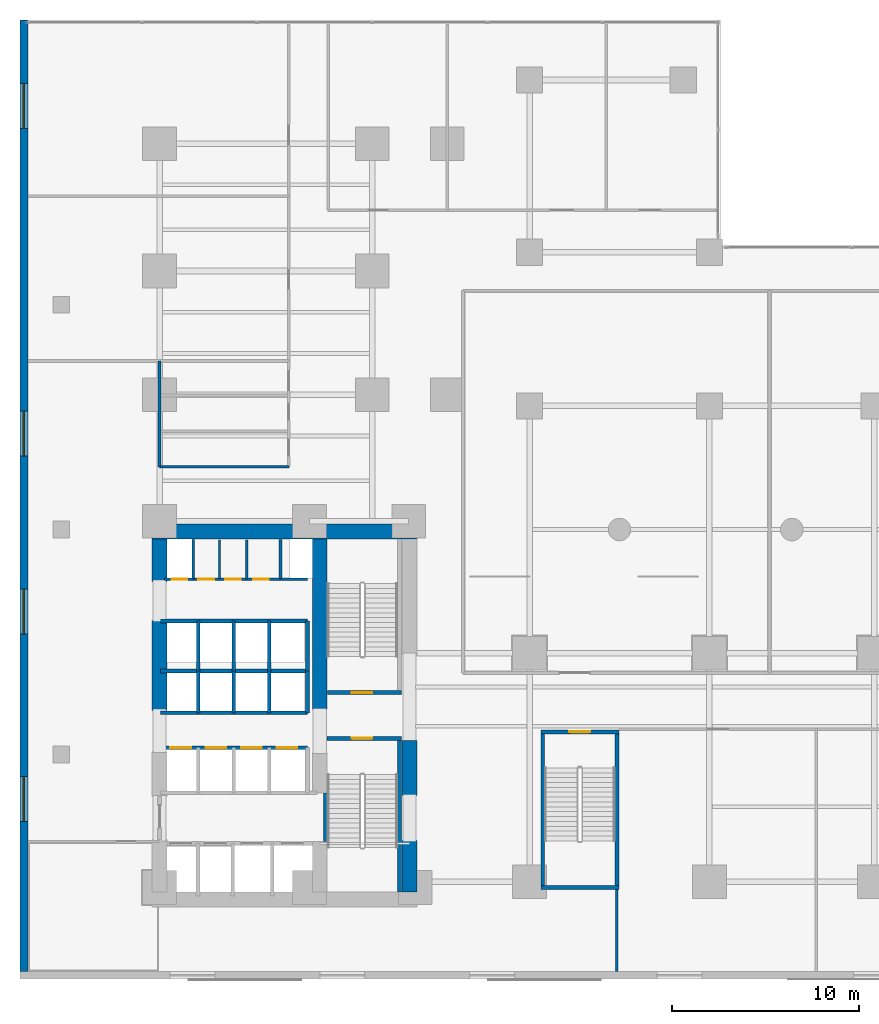
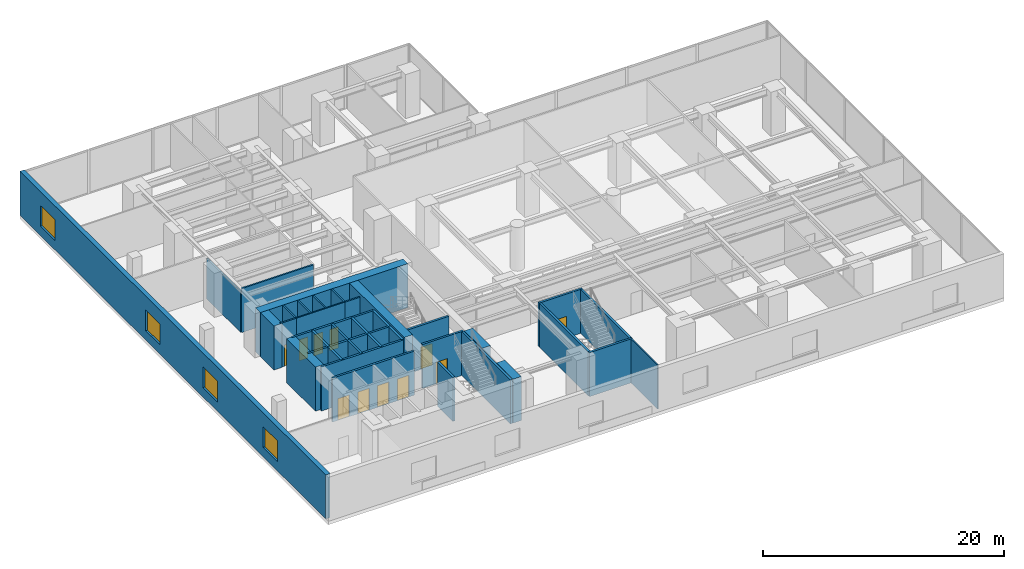
# One storey, part 12 of 16: 37 walls, 11 doors, 4 windows, 15 openings.
"""IFC4 building model written with IfcOpenShell, lengths in metres."""

from ifc_helpers import new_model, si_unit, direction, frame, frame_2d, origin, place, context, subcontext, project, spatial, rectangle, extrude, material, layer, layer_set, type_object, element, fill, save


model = new_model("IFC4")

# Units and contexts
model_context = context("Model", 3, precision=1e-05, world=origin(), true_north=direction((0.0, 1.0)))
body_context = subcontext(model_context, "Body", "Model", "MODEL_VIEW")
ifc_project = project(units=[si_unit("LENGTHUNIT", "METRE"), si_unit("AREAUNIT", "SQUARE_METRE"), si_unit("VOLUMEUNIT", "CUBIC_METRE"), si_unit("PLANEANGLEUNIT", "RADIAN"), si_unit("MASSUNIT", "GRAM", prefix="KILO")], contexts=[model_context])

# Site, building, storey
site_placement = place(None, origin())
site = spatial("IfcSite", under=ifc_project, at=site_placement, CompositionType="ELEMENT")
building_placement = place(site_placement, origin())
building = spatial("IfcBuilding", under=site, at=building_placement, Name="Kolvaren Waterfront Exchange", CompositionType="ELEMENT")
storey_placement = place(building_placement, frame((0.0, 0.0, 15.199951171875)))
storey = spatial("IfcBuildingStorey", under=building, at=storey_placement, Name="L04", CompositionType="ELEMENT", Elevation=15.199951171875)

# Wall, openings, windows
ifc_material_1 = material(Name="Precast concrete C40/50", Category="concrete")
ifc_layer_1 = layer(ifc_material_1, 0.419921875, Name="Precast concrete C40/50")
ifc_layer_set_1 = layer_set([ifc_layer_1], Name="Precast concrete C40/50")
wall_type_1 = type_object("IfcWallType", Name="ARC-EXT-GRANITE-420", PredefinedType="SOLIDWALL", material=ifc_layer_set_1)
wall_1_placement = place(storey_placement, frame((0.2099609375, 0.419921875, 0.0), z_axis=(0.0, 0.0, 1.0), x_axis=(0.0, 1.0, 0.0)))
wall_1 = element("IfcWall", 1, at=wall_1_placement, inside=storey, type_object=wall_type_1, Name="L04 west granite precast facade wall", PredefinedType="SOLIDWALL", context=body_context, shape_type="SweptSolid", body=[
    extrude(rectangle(XDim=50.780029296875, YDim=0.419921875, at=frame_2d((25.39013671875, 0.0))), origin(), (0.0, 0.0, 1.0), 4.4599609375),
])
opening_1_placement = place(wall_1_placement, frame((8.0, 0.0, 0.949951171875)))
opening_1 = element("IfcOpeningElement", 2, at=opening_1_placement, cuts=wall_1, Name="Opening W04", PredefinedType="OPENING", context=body_context, shape_type="SweptSolid", body=[
    extrude(rectangle(XDim=2.39990234375, YDim=2.10009765625, at=frame_2d((1.199951171875, 1.050048828125))), frame((0.0, 0.219970703125, 0.0), z_axis=(0.0, -1.0, 0.0), x_axis=(1.0, 0.0, 0.0)), (0.0, 0.0, 1.0), 0.43994140625),
])
opening_2_placement = place(wall_1_placement, frame((18.0, 0.0, 0.949951171875)))
opening_2 = element("IfcOpeningElement", 3, at=opening_2_placement, cuts=wall_1, Name="Opening W04", PredefinedType="OPENING", context=body_context, shape_type="SweptSolid", body=[
    extrude(rectangle(XDim=2.39990234375, YDim=2.10009765625, at=frame_2d((1.199951171875, 1.050048828125))), frame((0.0, 0.219970703125, 0.0), z_axis=(0.0, -1.0, 0.0), x_axis=(1.0, 0.0, 0.0)), (0.0, 0.0, 1.0), 0.43994140625),
])
opening_3_placement = place(wall_1_placement, frame((27.5, 0.0, 0.949951171875)))
opening_3 = element("IfcOpeningElement", 4, at=opening_3_placement, cuts=wall_1, Name="Opening W04", PredefinedType="OPENING", context=body_context, shape_type="SweptSolid", body=[
    extrude(rectangle(XDim=2.39990234375, YDim=2.10009765625, at=frame_2d((1.199951171875, 1.050048828125))), frame((0.0, 0.219970703125, 0.0), z_axis=(0.0, -1.0, 0.0), x_axis=(1.0, 0.0, 0.0)), (0.0, 0.0, 1.0), 0.43994140625),
])
opening_4_placement = place(wall_1_placement, frame((45.0, 0.0, 0.949951171875)))
opening_4 = element("IfcOpeningElement", 5, at=opening_4_placement, cuts=wall_1, Name="Opening W04", PredefinedType="OPENING", context=body_context, shape_type="SweptSolid", body=[
    extrude(rectangle(XDim=2.39990234375, YDim=2.10009765625, at=frame_2d((1.199951171875, 1.050048828125))), frame((0.0, 0.219970703125, 0.0), z_axis=(0.0, -1.0, 0.0), x_axis=(1.0, 0.0, 0.0)), (0.0, 0.0, 1.0), 0.43994140625),
])
ifc_material_2 = material(Name="Acoustic laminated vision glass", Category="glass")
window_type = type_object("IfcWindowType", Name="ARC-WIN-2400x2100", PartitioningType="SINGLE_PANEL", PredefinedType="WINDOW", material=ifc_material_2)
window_1_placement = place(opening_1_placement, origin())
window_1 = element("IfcWindow", 6, at=window_1_placement, inside=storey, type_object=window_type, Name="L04 west modular window 1", OverallHeight=2.10009765625, OverallWidth=2.39990234375, PartitioningType="SINGLE_PANEL", PredefinedType="WINDOW", context=body_context, shape_type="SweptSolid", body=[
    extrude(rectangle(XDim=2.39990234375, YDim=2.10009765625, at=frame_2d((1.199951171875, 1.050048828125))), frame((0.0, 0.030029296875, 0.0), z_axis=(0.0, -1.0, 0.0), x_axis=(1.0, 0.0, 0.0)), (0.0, 0.0, 1.0), 0.06005859375),
])
fill(opening_1, window_1)
window_2_placement = place(opening_2_placement, origin())
window_2 = element("IfcWindow", 7, at=window_2_placement, inside=storey, type_object=window_type, Name="L04 west modular window 2", OverallHeight=2.10009765625, OverallWidth=2.39990234375, PartitioningType="SINGLE_PANEL", PredefinedType="WINDOW", context=body_context, shape_type="SweptSolid", body=[
    extrude(rectangle(XDim=2.39990234375, YDim=2.10009765625, at=frame_2d((1.199951171875, 1.050048828125))), frame((0.0, 0.030029296875, 0.0), z_axis=(0.0, -1.0, 0.0), x_axis=(1.0, 0.0, 0.0)), (0.0, 0.0, 1.0), 0.06005859375),
])
fill(opening_2, window_2)
window_3_placement = place(opening_3_placement, origin())
window_3 = element("IfcWindow", 8, at=window_3_placement, inside=storey, type_object=window_type, Name="L04 west modular window 3", OverallHeight=2.10009765625, OverallWidth=2.39990234375, PartitioningType="SINGLE_PANEL", PredefinedType="WINDOW", context=body_context, shape_type="SweptSolid", body=[
    extrude(rectangle(XDim=2.39990234375, YDim=2.10009765625, at=frame_2d((1.199951171875, 1.050048828125))), frame((0.0, 0.030029296875, 0.0), z_axis=(0.0, -1.0, 0.0), x_axis=(1.0, 0.0, 0.0)), (0.0, 0.0, 1.0), 0.06005859375),
])
fill(opening_3, window_3)
window_4_placement = place(opening_4_placement, origin())
window_4 = element("IfcWindow", 9, at=window_4_placement, inside=storey, type_object=window_type, Name="L04 west modular window 4", OverallHeight=2.10009765625, OverallWidth=2.39990234375, PartitioningType="SINGLE_PANEL", PredefinedType="WINDOW", context=body_context, shape_type="SweptSolid", body=[
    extrude(rectangle(XDim=2.39990234375, YDim=2.10009765625, at=frame_2d((1.199951171875, 1.050048828125))), frame((0.0, 0.030029296875, 0.0), z_axis=(0.0, -1.0, 0.0), x_axis=(1.0, 0.0, 0.0)), (0.0, 0.0, 1.0), 0.06005859375),
])
fill(opening_4, window_4)

# Wall, opening, door
ifc_layer_2 = layer(ifc_material_1, 0.199951171875, Name="Precast concrete C40/50")
ifc_layer_set_2 = layer_set([ifc_layer_2], Name="Precast concrete C40/50")
wall_type_2 = type_object("IfcWallType", Name="ARC-FIRE-200", PredefinedType="PARTITIONING", material=ifc_layer_set_2)
wall_2_placement = place(storey_placement, frame((16.39990234375, 12.85009765625, 0.0), z_axis=(0.0, 0.0, 1.0), x_axis=(1.0, 0.0, 0.0)))
wall_2 = element("IfcWall", 10, at=wall_2_placement, inside=storey, type_object=wall_type_2, Name="L04 interior wall PW-L04-ST1-THROAT-S", PredefinedType="PARTITIONING", context=body_context, shape_type="SweptSolid", body=[
    extrude(rectangle(XDim=3.960205078125, YDim=0.199951171875, at=frame_2d((1.97998046875, 0.0))), origin(), (0.0, 0.0, 1.0), 4.4599609375),
])
opening_5_placement = place(wall_2_placement, frame((1.3037109375, 0.0, 0.0)))
opening_5 = element("IfcOpeningElement", 11, at=opening_5_placement, cuts=wall_2, Name="Opening FD2", PredefinedType="OPENING", context=body_context, shape_type="SweptSolid", body=[
    extrude(rectangle(XDim=1.10009765625, YDim=2.199951171875, at=frame_2d((0.550048828125, 1.10009765625))), frame((0.0, 0.10986328125, 0.0), z_axis=(0.0, -1.0, 0.0), x_axis=(1.0, 0.0, 0.0)), (0.0, 0.0, 1.0), 0.219970703125),
])
ifc_material_3 = material(Name="Pressed steel smoke-seal fire door", Category="steel")
door_type_1 = type_object("IfcDoorType", Name="ARC-FD-1100", OperationType="NOTDEFINED", PredefinedType="DOOR", material=ifc_material_3)
door_1_placement = place(opening_5_placement, frame((1.10009765625, 0.0, 0.0), z_axis=(0.0, 0.0, 1.0), x_axis=(-1.0, 0.0, 0.0)))
door_1 = element("IfcDoor", 12, at=door_1_placement, inside=storey, type_object=door_type_1, Name="L04 door DR-L04-ST1-IN (FD2)", OperationType="SINGLE_SWING_RIGHT", OverallHeight=2.199951171875, OverallWidth=1.10009765625, PredefinedType="DOOR", context=body_context, shape_type="SweptSolid", body=[
    extrude(rectangle(XDim=1.10009765625, YDim=2.199951171875, at=frame_2d((0.550048828125, 1.10009765625))), frame((0.0, 0.02490234375, 0.0), z_axis=(0.0, -1.0, 0.0), x_axis=(1.0, 0.0, 0.0)), (0.0, 0.0, 1.0), 0.050048828125),
])
fill(opening_5, door_1)

wall_3_placement = place(storey_placement, frame((16.409912109375, 15.300048828125, 0.0), z_axis=(0.0, 0.0, 1.0), x_axis=(1.0, 0.0, 0.0)))
wall_3 = element("IfcWall", 13, at=wall_3_placement, inside=storey, type_object=wall_type_2, Name="L04 interior wall PW-L04-ST2-THROAT-N", PredefinedType="PARTITIONING", context=body_context, shape_type="SweptSolid", body=[
    extrude(rectangle(XDim=3.9501953125, YDim=0.199951171875, at=frame_2d((1.97509765625, 0.0))), origin(), (0.0, 0.0, 1.0), 4.4599609375),
])
opening_6_placement = place(wall_3_placement, frame((1.293701171875, 0.0, 0.0)))
opening_6 = element("IfcOpeningElement", 14, at=opening_6_placement, cuts=wall_3, Name="Opening FD2", PredefinedType="OPENING", context=body_context, shape_type="SweptSolid", body=[
    extrude(rectangle(XDim=1.10009765625, YDim=2.199951171875, at=frame_2d((0.550048828125, 1.10009765625))), frame((0.0, 0.10986328125, 0.0), z_axis=(0.0, -1.0, 0.0), x_axis=(1.0, 0.0, 0.0)), (0.0, 0.0, 1.0), 0.219970703125),
])
door_2_placement = place(opening_6_placement, origin())
door_2 = element("IfcDoor", 15, at=door_2_placement, inside=storey, type_object=door_type_1, Name="L04 door DR-L04-ST2-IN (FD2)", OperationType="SINGLE_SWING_LEFT", OverallHeight=2.199951171875, OverallWidth=1.10009765625, PredefinedType="DOOR", context=body_context, shape_type="SweptSolid", body=[
    extrude(rectangle(XDim=1.10009765625, YDim=2.199951171875, at=frame_2d((0.550048828125, 1.10009765625))), frame((0.0, 0.02490234375, 0.0), z_axis=(0.0, -1.0, 0.0), x_axis=(1.0, 0.0, 0.0)), (0.0, 0.0, 1.0), 0.050048828125),
])
fill(opening_6, door_2)

# Wall, openings, doors
ifc_material_4 = material(Name="Acoustic gypsum steel stud", Category="steel")
ifc_layer_3 = layer(ifc_material_4, 0.125, Name="Acoustic gypsum steel stud")
ifc_layer_set_3 = layer_set([ifc_layer_3], Name="Acoustic gypsum steel stud")
wall_type_3 = type_object("IfcWallType", Name="ARC-PART-125", PredefinedType="PARTITIONING", material=ifc_layer_set_3)
wall_4_placement = place(storey_placement, frame((9.25, 21.35009765625, 0.0), z_axis=(0.0, 0.0, 1.0), x_axis=(1.0, 0.0, 0.0)))
wall_4 = element("IfcWall", 16, at=wall_4_placement, inside=storey, type_object=wall_type_3, Name="L04 interior wall PW-L04-SVC-EX-S", PredefinedType="PARTITIONING", context=body_context, shape_type="SweptSolid", body=[
    extrude(rectangle(XDim=4.64990234375, YDim=0.125, at=frame_2d((2.324951171875, 0.0))), origin(), (0.0, 0.0, 1.0), 4.4599609375),
])
opening_7_placement = place(wall_4_placement, frame((0.264892578125, 0.0, 0.0)))
opening_7 = element("IfcOpeningElement", 17, at=opening_7_placement, cuts=wall_4, Name="Opening D01", PredefinedType="OPENING", context=body_context, shape_type="SweptSolid", body=[
    extrude(rectangle(XDim=0.85009765625, YDim=2.14990234375, at=frame_2d((0.425048828125, 1.074951171875))), frame((0.0, 0.072509765625, 0.0), z_axis=(0.0, -1.0, 0.0), x_axis=(1.0, 0.0, 0.0)), (0.0, 0.0, 1.0), 0.14501953125),
])
opening_8_placement = place(wall_4_placement, frame((1.695068359375, 0.0, 0.0)))
opening_8 = element("IfcOpeningElement", 18, at=opening_8_placement, cuts=wall_4, Name="Opening D01", PredefinedType="OPENING", context=body_context, shape_type="SweptSolid", body=[
    extrude(rectangle(XDim=0.85009765625, YDim=2.14990234375, at=frame_2d((0.425048828125, 1.074951171875))), frame((0.0, 0.072509765625, 0.0), z_axis=(0.0, -1.0, 0.0), x_axis=(1.0, 0.0, 0.0)), (0.0, 0.0, 1.0), 0.14501953125),
])
opening_9_placement = place(wall_4_placement, frame((3.18994140625, 0.0, 0.0)))
opening_9 = element("IfcOpeningElement", 19, at=opening_9_placement, cuts=wall_4, Name="Opening D01", PredefinedType="OPENING", context=body_context, shape_type="SweptSolid", body=[
    extrude(rectangle(XDim=0.85009765625, YDim=2.14990234375, at=frame_2d((0.425048828125, 1.074951171875))), frame((0.0, 0.072509765625, 0.0), z_axis=(0.0, -1.0, 0.0), x_axis=(1.0, 0.0, 0.0)), (0.0, 0.0, 1.0), 0.14501953125),
])
ifc_material_5 = material(Name="Oak veneer timber leaf", Category="wood")
door_type_2 = type_object("IfcDoorType", Name="ARC-DR-900", OperationType="NOTDEFINED", PredefinedType="DOOR", material=ifc_material_5)
door_3_placement = place(opening_7_placement, origin())
door_3 = element("IfcDoor", 20, at=door_3_placement, inside=storey, type_object=door_type_2, Name="L04 door DR-L04-SVC-DR-1 (D01)", OperationType="SINGLE_SWING_LEFT", OverallHeight=2.14990234375, OverallWidth=0.85009765625, PredefinedType="DOOR", context=body_context, shape_type="SweptSolid", body=[
    extrude(rectangle(XDim=0.85009765625, YDim=2.14990234375, at=frame_2d((0.425048828125, 1.074951171875))), frame((0.0, 0.02490234375, 0.0), z_axis=(0.0, -1.0, 0.0), x_axis=(1.0, 0.0, 0.0)), (0.0, 0.0, 1.0), 0.050048828125),
])
fill(opening_7, door_3)
door_4_placement = place(opening_8_placement, origin())
door_4 = element("IfcDoor", 21, at=door_4_placement, inside=storey, type_object=door_type_2, Name="L04 door DR-L04-SVC-DR-2 (D01)", OperationType="SINGLE_SWING_RIGHT", OverallHeight=2.14990234375, OverallWidth=0.85009765625, PredefinedType="DOOR", context=body_context, shape_type="SweptSolid", body=[
    extrude(rectangle(XDim=0.85009765625, YDim=2.14990234375, at=frame_2d((0.425048828125, 1.074951171875))), frame((0.0, 0.02490234375, 0.0), z_axis=(0.0, -1.0, 0.0), x_axis=(1.0, 0.0, 0.0)), (0.0, 0.0, 1.0), 0.050048828125),
])
fill(opening_8, door_4)
door_5_placement = place(opening_9_placement, origin())
door_5 = element("IfcDoor", 22, at=door_5_placement, inside=storey, type_object=door_type_2, Name="L04 door DR-L04-SVC-DR-3 (D01)", OperationType="SINGLE_SWING_LEFT", OverallHeight=2.14990234375, OverallWidth=0.85009765625, PredefinedType="DOOR", context=body_context, shape_type="SweptSolid", body=[
    extrude(rectangle(XDim=0.85009765625, YDim=2.14990234375, at=frame_2d((0.425048828125, 1.074951171875))), frame((0.0, 0.02490234375, 0.0), z_axis=(0.0, -1.0, 0.0), x_axis=(1.0, 0.0, 0.0)), (0.0, 0.0, 1.0), 0.050048828125),
])
fill(opening_9, door_5)

# Walls
for number, where, z_axis, x_axis, name in (
    (23, (10.64990234375, 21.35009765625, 0.0), (0.0, 0.0, 1.0), (0.0, 1.0, 0.0), "L04 interior wall PW-L04-SVC-EX-A"),
    (24, (12.10009765625, 21.35009765625, 0.0), (0.0, 0.0, 1.0), (0.0, 1.0, 0.0), "L04 interior wall PW-L04-SVC-EX-B"),
):
    element("IfcWall", number, at=place(storey_placement, frame(where, z_axis=z_axis, x_axis=x_axis)), inside=storey, type_object=wall_type_3, Name=name, PredefinedType="PARTITIONING", context=body_context, shape_type="SweptSolid", body=[
        extrude(rectangle(XDim=2.099853515625, YDim=0.125, at=frame_2d((1.0498046875, 0.0))), origin(), (0.0, 0.0, 1.0), 4.4599609375),
    ])
wall_5_placement = place(storey_placement, frame((31.860107421875, 0.419921875, 0.0), z_axis=(0.0, 0.0, 1.0), x_axis=(0.0, 1.0, 0.0)))
element("IfcWall", 25, at=wall_5_placement, inside=storey, type_object=wall_type_3, Name="L04 interior wall PW-L04-POD-SE-W", PredefinedType="PARTITIONING", context=body_context, shape_type="SweptSolid", body=[
    extrude(rectangle(XDim=4.380126953125, YDim=0.125, at=frame_2d((2.18994140625, 0.0))), origin(), (0.0, 0.0, 1.0), 4.4599609375),
])
ifc_material_6 = material(Name="Gypsum fireboard steel stud", Category="steel")
ifc_layer_4 = layer(ifc_material_6, 0.14990234375, Name="Gypsum fireboard steel stud")
ifc_layer_set_4 = layer_set([ifc_layer_4], Name="Gypsum fireboard steel stud")
wall_type_4 = type_object("IfcWallType", Name="ARC-PART-150", PredefinedType="PARTITIONING", material=ifc_layer_set_4)
for number, where, z_axis, x_axis, name in (
    (26, (9.25, 21.35009765625, 0.0), (0.0, 0.0, 1.0), (0.0, 1.0, 0.0), "L04 interior wall PW-L04-SVC-R1"),
    (27, (13.89990234375, 21.35009765625, 0.0), (0.0, 0.0, 1.0), (0.0, 1.0, 0.0), "L04 interior wall PW-L04-SVC-R2"),
):
    element("IfcWall", number, at=place(storey_placement, frame(where, z_axis=z_axis, x_axis=x_axis)), inside=storey, type_object=wall_type_4, Name=name, PredefinedType="PARTITIONING", context=body_context, shape_type="SweptSolid", body=[
        extrude(rectangle(XDim=2.1298828125, YDim=0.14990234375, at=frame_2d((1.06494140625, 0.0))), origin(), (0.0, 0.0, 1.0), 4.4599609375),
    ])

# Wall, opening, door
wall_6_placement = place(storey_placement, frame((7.699951171875, 21.35009765625, 0.0), z_axis=(0.0, 0.0, 1.0), x_axis=(1.0, 0.0, 0.0)))
wall_6 = element("IfcWall", 28, at=wall_6_placement, inside=storey, type_object=wall_type_4, Name="L04 interior wall PW-L04-SVC-RE-S", PredefinedType="PARTITIONING", context=body_context, shape_type="SweptSolid", body=[
    extrude(rectangle(XDim=1.550048828125, YDim=0.14990234375, at=frame_2d((0.77490234375, 0.0))), origin(), (0.0, 0.0, 1.0), 4.4599609375),
])
opening_10_placement = place(wall_6_placement, frame((0.389892578125, 0.0, 0.0)))
opening_10 = element("IfcOpeningElement", 29, at=opening_10_placement, cuts=wall_6, Name="Opening FD1", PredefinedType="OPENING", context=body_context, shape_type="SweptSolid", body=[
    extrude(rectangle(XDim=0.85009765625, YDim=2.14990234375, at=frame_2d((0.425048828125, 1.074951171875))), frame((0.0, 0.0849609375, 0.0), z_axis=(0.0, -1.0, 0.0), x_axis=(1.0, 0.0, 0.0)), (0.0, 0.0, 1.0), 0.169921875),
])
ifc_material_7 = material(Name="Pressed steel fire leaf", Category="steel")
door_type_3 = type_object("IfcDoorType", Name="ARC-FD-900", OperationType="NOTDEFINED", PredefinedType="DOOR", material=ifc_material_7)
door_6_placement = place(opening_10_placement, origin())
door_6 = element("IfcDoor", 30, at=door_6_placement, inside=storey, type_object=door_type_3, Name="L04 door DR-L04-RISER-E-DR (FD1)", OperationType="SINGLE_SWING_RIGHT", OverallHeight=2.14990234375, OverallWidth=0.85009765625, PredefinedType="DOOR", context=body_context, shape_type="SweptSolid", body=[
    extrude(rectangle(XDim=0.85009765625, YDim=2.14990234375, at=frame_2d((0.425048828125, 1.074951171875))), frame((0.0, 0.02490234375, 0.0), z_axis=(0.0, -1.0, 0.0), x_axis=(1.0, 0.0, 0.0)), (0.0, 0.0, 1.0), 0.050048828125),
])
fill(opening_10, door_6)

# Walls
wall_7_placement = place(storey_placement, frame((13.89990234375, 21.35009765625, 0.0), z_axis=(0.0, 0.0, 1.0), x_axis=(1.0, 0.0, 0.0)))
element("IfcWall", 31, at=wall_7_placement, inside=storey, type_object=wall_type_4, Name="L04 interior wall PW-L04-SVC-RP-S", PredefinedType="PARTITIONING", context=body_context, shape_type="SweptSolid", body=[
    extrude(rectangle(XDim=1.4501953125, YDim=0.14990234375, at=frame_2d((0.72509765625, 0.0))), origin(), (0.0, 0.0, 1.0), 4.4599609375),
])
ifc_material_8 = material(Name="Moisture-resistant gypsum stud")
ifc_layer_5 = layer(ifc_material_8, 0.14990234375, Name="Moisture-resistant gypsum stud")
ifc_layer_set_5 = layer_set([ifc_layer_5], Name="Moisture-resistant gypsum stud")
wall_type_5 = type_object("IfcWallType", Name="ARC-PLUMB-150", PredefinedType="PLUMBINGWALL", material=ifc_layer_set_5)
wall_8_placement = place(storey_placement, frame((7.449951171875, 27.35009765625, 0.0), z_axis=(0.0, 0.0, 1.0), x_axis=(1.0, 0.0, 0.0)))
element("IfcWall", 32, at=wall_8_placement, inside=storey, type_object=wall_type_5, Name="L04 interior wall PW-L04-WC-S0", PredefinedType="PLUMBINGWALL", context=body_context, shape_type="SweptSolid", body=[
    extrude(rectangle(XDim=6.900146484375, YDim=0.14990234375, at=frame_2d((3.4501953125, 0.0))), origin(), (0.0, 0.0, 1.0), 4.4599609375),
])
wall_9_placement = place(storey_placement, frame((7.449951171875, 27.35009765625, 0.0), z_axis=(0.0, 0.0, 1.0), x_axis=(0.0, 1.0, 0.0)))
element("IfcWall", 33, at=wall_9_placement, inside=storey, type_object=wall_type_5, Name="L04 interior wall PW-L04-WC-W0", PredefinedType="PLUMBINGWALL", context=body_context, shape_type="SweptSolid", body=[
    extrude(rectangle(XDim=5.64990234375, YDim=0.14990234375, at=frame_2d((2.824951171875, 0.0))), origin(), (0.0, 0.0, 1.0), 4.10009765625),
])
ifc_material_9 = material(Name="Concrete C40/50", Category="concrete")
ifc_layer_6 = layer(ifc_material_9, 0.199951171875, Name="Concrete C40/50")
ifc_layer_set_6 = layer_set([ifc_layer_6], Name="Concrete C40/50")
wall_type_6 = type_object("IfcWallType", Name="ARC-SHAFT-200", PredefinedType="PARTITIONING", material=ifc_layer_set_6)
wall_10_placement = place(storey_placement, frame((16.300048828125, 7.360107421875, 0.0), z_axis=(0.0, 0.0, 1.0), x_axis=(0.0, 1.0, 0.0)))
element("IfcWall", 34, at=wall_10_placement, inside=storey, type_object=wall_type_6, Name="L04 structural stairwell wall PW-L04-ST1-W", PredefinedType="SHEAR", context=body_context, shape_type="SweptSolid", body=[
    extrude(rectangle(XDim=2.579833984375, YDim=0.199951171875, at=frame_2d((1.2900390625, 0.0))), origin(), (0.0, 0.0, 1.0), 4.4599609375),
])
wall_11_placement = place(storey_placement, frame((20.260009765625, 4.659912109375, 0.0), z_axis=(0.0, 0.0, 1.0), x_axis=(0.0, 1.0, 0.0)))
element("IfcWall", 35, at=wall_11_placement, inside=storey, type_object=wall_type_6, Name="L04 structural stairwell wall PW-L04-ST1-E", PredefinedType="SHEAR", context=body_context, shape_type="SweptSolid", body=[
    extrude(rectangle(XDim=8.090087890625, YDim=0.199951171875, at=frame_2d((4.044921875, 0.0))), origin(), (0.0, 0.0, 1.0), 4.4599609375),
])
for number, where, z_axis, x_axis, name in (
    (36, (27.89990234375, 5.0, 0.0), (0.0, 0.0, 1.0), (0.0, 1.0, 0.0), "L04 structural stairwell wall PW-L04-ST3-W"),
    (37, (31.860107421875, 5.0, 0.0), (0.0, 0.0, 1.0), (0.0, 1.0, 0.0), "L04 structural stairwell wall PW-L04-ST3-E"),
):
    element("IfcWall", number, at=place(storey_placement, frame(where, z_axis=z_axis, x_axis=x_axis)), inside=storey, type_object=wall_type_6, Name=name, PredefinedType="SHEAR", context=body_context, shape_type="SweptSolid", body=[
        extrude(rectangle(XDim=8.10009765625, YDim=0.199951171875, at=frame_2d((4.050048828125, 0.0))), origin(), (0.0, 0.0, 1.0), 4.4599609375),
    ])
wall_12_placement = place(storey_placement, frame((27.800048828125, 4.89990234375, 0.0), z_axis=(0.0, 0.0, 1.0), x_axis=(1.0, 0.0, 0.0)))
element("IfcWall", 38, at=wall_12_placement, inside=storey, type_object=wall_type_6, Name="L04 structural stairwell wall PW-L04-ST3-S", PredefinedType="SHEAR", context=body_context, shape_type="SweptSolid", body=[
    extrude(rectangle(XDim=4.159912109375, YDim=0.199951171875, at=frame_2d((2.080078125, 0.0))), origin(), (0.0, 0.0, 1.0), 4.4599609375),
])

# Wall, opening, door
wall_13_placement = place(storey_placement, frame((27.800048828125, 13.199951171875, 0.0), z_axis=(0.0, 0.0, 1.0), x_axis=(1.0, 0.0, 0.0)))
wall_13 = element("IfcWall", 39, at=wall_13_placement, inside=storey, type_object=wall_type_6, Name="L04 structural stairwell wall PW-L04-ST3-N", PredefinedType="SHEAR", context=body_context, shape_type="SweptSolid", body=[
    extrude(rectangle(XDim=4.159912109375, YDim=0.199951171875, at=frame_2d((2.080078125, 0.0))), origin(), (0.0, 0.0, 1.0), 4.4599609375),
])
opening_11_placement = place(wall_13_placement, frame((1.530029296875, 0.0, 0.0)))
opening_11 = element("IfcOpeningElement", 40, at=opening_11_placement, cuts=wall_13, Name="Opening FD2", PredefinedType="OPENING", context=body_context, shape_type="SweptSolid", body=[
    extrude(rectangle(XDim=1.10009765625, YDim=2.199951171875, at=frame_2d((0.550048828125, 1.10009765625))), frame((0.0, 0.10986328125, 0.0), z_axis=(0.0, -1.0, 0.0), x_axis=(1.0, 0.0, 0.0)), (0.0, 0.0, 1.0), 0.219970703125),
])
door_7_placement = place(opening_11_placement, frame((1.10009765625, 0.0, 0.0), z_axis=(0.0, 0.0, 1.0), x_axis=(-1.0, 0.0, 0.0)))
door_7 = element("IfcDoor", 41, at=door_7_placement, inside=storey, type_object=door_type_1, Name="L04 door DR-L04-ST3-IN (FD2)", OperationType="SINGLE_SWING_RIGHT", OverallHeight=2.199951171875, OverallWidth=1.10009765625, PredefinedType="DOOR", context=body_context, shape_type="SweptSolid", body=[
    extrude(rectangle(XDim=1.10009765625, YDim=2.199951171875, at=frame_2d((0.550048828125, 1.10009765625))), frame((0.0, 0.02490234375, 0.0), z_axis=(0.0, -1.0, 0.0), x_axis=(1.0, 0.0, 0.0)), (0.0, 0.0, 1.0), 0.050048828125),
])
fill(opening_11, door_7)

# Wall, openings, doors
wall_14_placement = place(storey_placement, frame((7.5, 12.360107421875, 0.0), z_axis=(0.0, 0.0, 1.0), x_axis=(1.0, 0.0, 0.0)))
wall_14 = element("IfcWall", 42, at=wall_14_placement, inside=storey, type_object=wall_type_6, Name="L04 interior wall PW-L04-PL-N", PredefinedType="PARTITIONING", context=body_context, shape_type="SweptSolid", body=[
    extrude(rectangle(XDim=7.85009765625, YDim=0.199951171875, at=frame_2d((3.925048828125, 0.0))), origin(), (0.0, 0.0, 1.0), 4.4599609375),
])
opening_12_placement = place(wall_14_placement, frame((0.530029296875, 0.0, 0.0)))
opening_12 = element("IfcOpeningElement", 43, at=opening_12_placement, cuts=wall_14, Name="Opening LD2", PredefinedType="OPENING", context=body_context, shape_type="SweptSolid", body=[
    extrude(rectangle(XDim=1.10009765625, YDim=2.199951171875, at=frame_2d((0.550048828125, 1.10009765625))), frame((0.0, 0.10986328125, 0.0), z_axis=(0.0, -1.0, 0.0), x_axis=(1.0, 0.0, 0.0)), (0.0, 0.0, 1.0), 0.219970703125),
])
opening_13_placement = place(wall_14_placement, frame((2.419921875, 0.0, 0.0)))
opening_13 = element("IfcOpeningElement", 44, at=opening_13_placement, cuts=wall_14, Name="Opening LD2", PredefinedType="OPENING", context=body_context, shape_type="SweptSolid", body=[
    extrude(rectangle(XDim=1.10009765625, YDim=2.199951171875, at=frame_2d((0.550048828125, 1.10009765625))), frame((0.0, 0.10986328125, 0.0), z_axis=(0.0, -1.0, 0.0), x_axis=(1.0, 0.0, 0.0)), (0.0, 0.0, 1.0), 0.219970703125),
])
opening_14_placement = place(wall_14_placement, frame((4.31005859375, 0.0, 0.0)))
opening_14 = element("IfcOpeningElement", 45, at=opening_14_placement, cuts=wall_14, Name="Opening LD2", PredefinedType="OPENING", context=body_context, shape_type="SweptSolid", body=[
    extrude(rectangle(XDim=1.10009765625, YDim=2.199951171875, at=frame_2d((0.550048828125, 1.10009765625))), frame((0.0, 0.10986328125, 0.0), z_axis=(0.0, -1.0, 0.0), x_axis=(1.0, 0.0, 0.0)), (0.0, 0.0, 1.0), 0.219970703125),
])
opening_15_placement = place(wall_14_placement, frame((6.199951171875, 0.0, 0.0)))
opening_15 = element("IfcOpeningElement", 46, at=opening_15_placement, cuts=wall_14, Name="Opening LD2", PredefinedType="OPENING", context=body_context, shape_type="SweptSolid", body=[
    extrude(rectangle(XDim=1.10009765625, YDim=2.199951171875, at=frame_2d((0.550048828125, 1.10009765625))), frame((0.0, 0.10986328125, 0.0), z_axis=(0.0, -1.0, 0.0), x_axis=(1.0, 0.0, 0.0)), (0.0, 0.0, 1.0), 0.219970703125),
])
ifc_material_10 = material(Name="Brushed bronze sliding landing door", Category="aluminium")
door_type_4 = type_object("IfcDoorType", Name="ARC-LD-PAX", OperationType="SLIDING_TO_LEFT", PredefinedType="DOOR", material=ifc_material_10)
door_8_placement = place(opening_12_placement, origin())
door_8 = element("IfcDoor", 47, at=door_8_placement, inside=storey, type_object=door_type_4, Name="L04 door LD-L04-PL1 (LD2)", OperationType="SLIDING_TO_LEFT", OverallHeight=2.199951171875, OverallWidth=1.10009765625, PredefinedType="DOOR", context=body_context, shape_type="SweptSolid", body=[
    extrude(rectangle(XDim=1.10009765625, YDim=2.199951171875, at=frame_2d((0.550048828125, 1.10009765625))), frame((0.0, 0.02490234375, 0.0), z_axis=(0.0, -1.0, 0.0), x_axis=(1.0, 0.0, 0.0)), (0.0, 0.0, 1.0), 0.050048828125),
])
fill(opening_12, door_8)
door_9_placement = place(opening_13_placement, origin())
door_9 = element("IfcDoor", 48, at=door_9_placement, inside=storey, type_object=door_type_4, Name="L04 door LD-L04-PL2 (LD2)", OperationType="SLIDING_TO_LEFT", OverallHeight=2.199951171875, OverallWidth=1.10009765625, PredefinedType="DOOR", context=body_context, shape_type="SweptSolid", body=[
    extrude(rectangle(XDim=1.10009765625, YDim=2.199951171875, at=frame_2d((0.550048828125, 1.10009765625))), frame((0.0, 0.02490234375, 0.0), z_axis=(0.0, -1.0, 0.0), x_axis=(1.0, 0.0, 0.0)), (0.0, 0.0, 1.0), 0.050048828125),
])
fill(opening_13, door_9)
door_10_placement = place(opening_14_placement, origin())
door_10 = element("IfcDoor", 49, at=door_10_placement, inside=storey, type_object=door_type_4, Name="L04 door LD-L04-PL3 (LD2)", OperationType="SLIDING_TO_LEFT", OverallHeight=2.199951171875, OverallWidth=1.10009765625, PredefinedType="DOOR", context=body_context, shape_type="SweptSolid", body=[
    extrude(rectangle(XDim=1.10009765625, YDim=2.199951171875, at=frame_2d((0.550048828125, 1.10009765625))), frame((0.0, 0.02490234375, 0.0), z_axis=(0.0, -1.0, 0.0), x_axis=(1.0, 0.0, 0.0)), (0.0, 0.0, 1.0), 0.050048828125),
])
fill(opening_14, door_10)
door_11_placement = place(opening_15_placement, origin())
door_11 = element("IfcDoor", 50, at=door_11_placement, inside=storey, type_object=door_type_4, Name="L04 door LD-L04-PL4 (LD2)", OperationType="SLIDING_TO_LEFT", OverallHeight=2.199951171875, OverallWidth=1.10009765625, PredefinedType="DOOR", context=body_context, shape_type="SweptSolid", body=[
    extrude(rectangle(XDim=1.10009765625, YDim=2.199951171875, at=frame_2d((0.550048828125, 1.10009765625))), frame((0.0, 0.02490234375, 0.0), z_axis=(0.0, -1.0, 0.0), x_axis=(1.0, 0.0, 0.0)), (0.0, 0.0, 1.0), 0.050048828125),
])
fill(opening_15, door_11)

# Walls
for number, where, z_axis, x_axis, name in (
    (51, (7.5, 14.219970703125, 0.0), (0.0, 0.0, 1.0), (1.0, 0.0, 0.0), "L04 interior wall PW-L04-PM-S"),
    (52, (7.5, 16.449951171875, 0.0), (0.0, 0.0, 1.0), (1.0, 0.0, 0.0), "L04 interior wall PW-L04-PM-N"),
):
    element("IfcWall", number, at=place(storey_placement, frame(where, z_axis=z_axis, x_axis=x_axis)), inside=storey, type_object=wall_type_6, Name=name, PredefinedType="PARTITIONING", context=body_context, shape_type="SweptSolid", body=[
        extrude(rectangle(XDim=7.85009765625, YDim=0.199951171875, at=frame_2d((3.925048828125, 0.0))), origin(), (0.0, 0.0, 1.0), 4.4599609375),
    ])
for number, where, z_axis, x_axis, name in (
    (53, (15.35009765625, 14.219970703125, 0.0), (0.0, 0.0, 1.0), (0.0, 1.0, 0.0), "L04 interior wall PW-L04-PM-E"),
    (54, (9.52001953125, 14.219970703125, 0.0), (0.0, 0.0, 1.0), (0.0, 1.0, 0.0), "L04 interior wall PW-L04-SH3-DIV-95"),
    (55, (11.409912109375, 14.219970703125, 0.0), (0.0, 0.0, 1.0), (0.0, 1.0, 0.0), "L04 interior wall PW-L04-SH3-DIV-114"),
    (56, (13.300048828125, 14.219970703125, 0.0), (0.0, 0.0, 1.0), (0.0, 1.0, 0.0), "L04 interior wall PW-L04-SH3-DIV-133"),
):
    element("IfcWall", number, at=place(storey_placement, frame(where, z_axis=z_axis, x_axis=x_axis)), inside=storey, type_object=wall_type_6, Name=name, PredefinedType="PARTITIONING", context=body_context, shape_type="SweptSolid", body=[
        extrude(rectangle(XDim=2.22998046875, YDim=0.199951171875, at=frame_2d((1.114990234375, 0.0))), origin(), (0.0, 0.0, 1.0), 4.4599609375),
    ])
wall_15_placement = place(storey_placement, frame((7.5, 19.1201171875, 0.0), z_axis=(0.0, 0.0, 1.0), x_axis=(1.0, 0.0, 0.0)))
element("IfcWall", 57, at=wall_15_placement, inside=storey, type_object=wall_type_6, Name="L04 interior wall PW-L04-PH-N", PredefinedType="PARTITIONING", context=body_context, shape_type="SweptSolid", body=[
    extrude(rectangle(XDim=7.85009765625, YDim=0.199951171875, at=frame_2d((3.925048828125, 0.0))), origin(), (0.0, 0.0, 1.0), 4.4599609375),
])
for number, where, z_axis, x_axis, name in (
    (58, (15.35009765625, 16.449951171875, 0.0), (0.0, 0.0, 1.0), (0.0, 1.0, 0.0), "L04 interior wall PW-L04-PH-E"),
    (59, (9.52001953125, 16.449951171875, 0.0), (0.0, 0.0, 1.0), (0.0, 1.0, 0.0), "L04 interior wall PW-L04-SH4-DIV-95"),
    (60, (11.409912109375, 16.449951171875, 0.0), (0.0, 0.0, 1.0), (0.0, 1.0, 0.0), "L04 interior wall PW-L04-SH4-DIV-114"),
    (61, (13.300048828125, 16.449951171875, 0.0), (0.0, 0.0, 1.0), (0.0, 1.0, 0.0), "L04 interior wall PW-L04-SH4-DIV-133"),
):
    element("IfcWall", number, at=place(storey_placement, frame(where, z_axis=z_axis, x_axis=x_axis)), inside=storey, type_object=wall_type_6, Name=name, PredefinedType="PARTITIONING", context=body_context, shape_type="SweptSolid", body=[
        extrude(rectangle(XDim=2.670166015625, YDim=0.199951171875, at=frame_2d((1.3349609375, 0.0))), origin(), (0.0, 0.0, 1.0), 4.4599609375),
    ])
ifc_material_11 = material(Name="Concrete C70/85", Category="concrete")
ifc_layer_7 = layer(ifc_material_11, 0.800048828125, Name="Concrete C70/85")
ifc_layer_set_7 = layer_set([ifc_layer_7], Name="Concrete C70/85")
wall_type_7 = type_object("IfcWallType", Name="STR-CWALL-800", PredefinedType="SHEAR", material=ifc_layer_set_7)
wall_16_placement = place(storey_placement, frame((7.050048828125, 23.89990234375, 0.0), z_axis=(0.0, 0.0, 1.0), x_axis=(1.0, 0.0, 0.0)))
element("IfcWall", 62, at=wall_16_placement, inside=storey, type_object=wall_type_7, Name="L04 rear-core shear wall N", PredefinedType="SHEAR", context=body_context, shape_type="SweptSolid", body=[
    extrude(rectangle(XDim=14.14990234375, YDim=0.800048828125, at=frame_2d((7.074951171875, 0.0))), origin(), (0.0, 0.0, 1.0), 4.4599609375),
])
wall_17_placement = place(storey_placement, frame((7.449951171875, 14.35009765625, 0.0), z_axis=(0.0, 0.0, 1.0), x_axis=(0.0, 1.0, 0.0)))
element("IfcWall", 63, at=wall_17_placement, inside=storey, type_object=wall_type_7, Name="L04 rear-core shear wall W2B", PredefinedType="SHEAR", context=body_context, shape_type="SweptSolid", body=[
    extrude(rectangle(XDim=4.809814453125, YDim=0.800048828125, at=frame_2d((2.40478515625, 0.0))), origin(), (0.0, 0.0, 1.0), 4.4599609375),
])
wall_18_placement = place(storey_placement, frame((7.449951171875, 21.239990234375, 0.0), z_axis=(0.0, 0.0, 1.0), x_axis=(0.0, 1.0, 0.0)))
element("IfcWall", 64, at=wall_18_placement, inside=storey, type_object=wall_type_7, Name="L04 rear-core shear wall W3", PredefinedType="SHEAR", context=body_context, shape_type="SweptSolid", body=[
    extrude(rectangle(XDim=2.260009765625, YDim=0.800048828125, at=frame_2d((1.1298828125, 0.0))), origin(), (0.0, 0.0, 1.0), 4.4599609375),
])
wall_19_placement = place(storey_placement, frame((20.800048828125, 4.64990234375, 0.0), z_axis=(0.0, 0.0, 1.0), x_axis=(0.0, 1.0, 0.0)))
element("IfcWall", 65, at=wall_19_placement, inside=storey, type_object=wall_type_7, Name="L04 rear-core shear wall E1", PredefinedType="SHEAR", context=body_context, shape_type="SweptSolid", body=[
    extrude(rectangle(XDim=2.75, YDim=0.800048828125, at=frame_2d((1.375, 0.0))), origin(), (0.0, 0.0, 1.0), 4.4599609375),
])
wall_20_placement = place(storey_placement, frame((20.800048828125, 9.800048828125, 0.0), z_axis=(0.0, 0.0, 1.0), x_axis=(0.0, 1.0, 0.0)))
element("IfcWall", 66, at=wall_20_placement, inside=storey, type_object=wall_type_7, Name="L04 rear-core shear wall E2", PredefinedType="SHEAR", context=body_context, shape_type="SweptSolid", body=[
    extrude(rectangle(XDim=2.949951171875, YDim=0.800048828125, at=frame_2d((1.47509765625, 0.0))), origin(), (0.0, 0.0, 1.0), 4.4599609375),
])
wall_21_placement = place(storey_placement, frame((16.0, 14.39990234375, 0.0), z_axis=(0.0, 0.0, 1.0), x_axis=(0.0, 1.0, 0.0)))
element("IfcWall", 67, at=wall_21_placement, inside=storey, type_object=wall_type_7, Name="L04 rear-core shear wall M3", PredefinedType="SHEAR", context=body_context, shape_type="SweptSolid", body=[
    extrude(rectangle(XDim=9.10009765625, YDim=0.800048828125, at=frame_2d((4.550048828125, 0.0))), origin(), (0.0, 0.0, 1.0), 4.4599609375),
])

save(model, "model.ifc")
